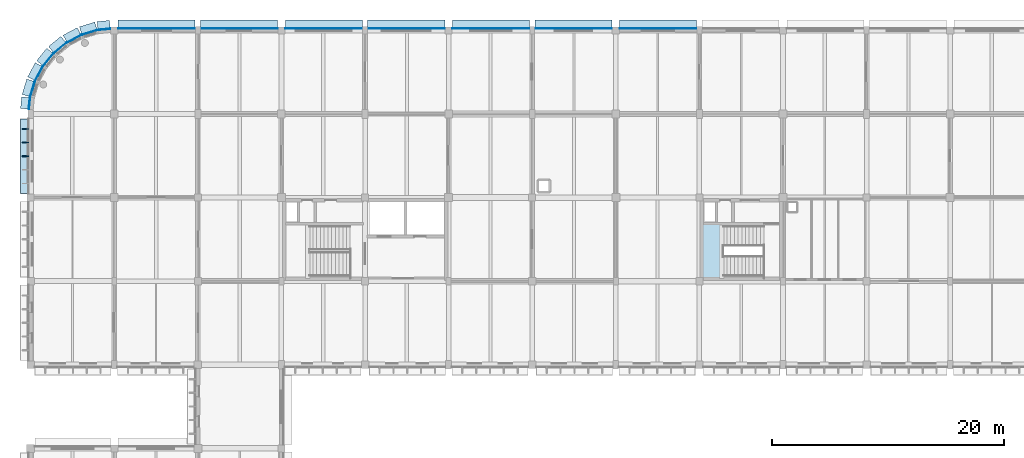
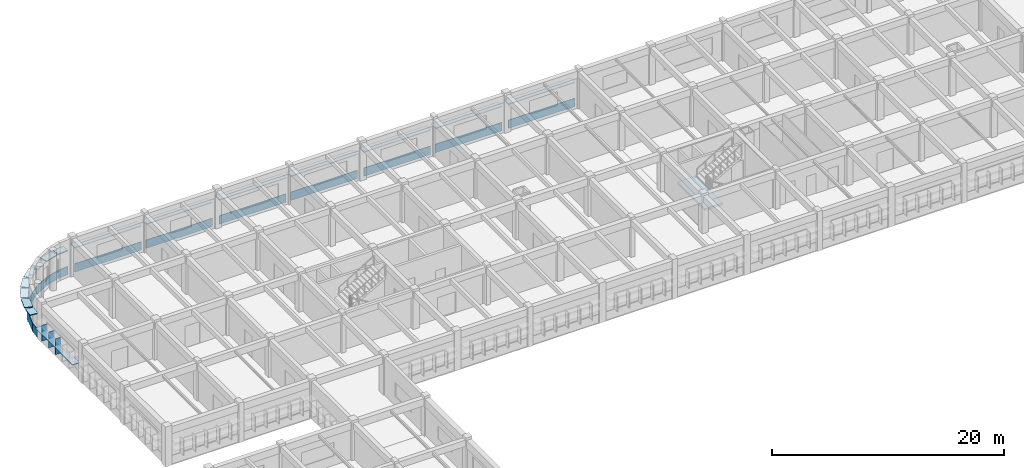
# One storey, part 16 of 38: 34 plates, 1 slab, 1 element without a shape of its own.
"""IFC4 building model written with IfcOpenShell, lengths in metres."""

from ifc_helpers import new_model, si_unit, direction, frame, origin, origin_2d, place, context, subcontext, project, spatial, polyline, rectangle, outline, extrude, material, layer, layer_set, type_object, element, aggregate, save


model = new_model("IFC4")

# Units and contexts
model_context = context("Model", 3, precision=1e-05, world=origin(), true_north=direction((0.0, 1.0)))
body_context = subcontext(model_context, "Body", "Model", "MODEL_VIEW")
ifc_project = project(units=[si_unit("LENGTHUNIT", "METRE"), si_unit("AREAUNIT", "SQUARE_METRE"), si_unit("VOLUMEUNIT", "CUBIC_METRE"), si_unit("PLANEANGLEUNIT", "RADIAN"), si_unit("MASSUNIT", "GRAM", prefix="KILO")], contexts=[model_context])

# Site, building, storey
site_placement = place(None, origin())
site = spatial("IfcSite", under=ifc_project, at=site_placement, CompositionType="ELEMENT")
building_placement = place(site_placement, origin())
building = spatial("IfcBuilding", under=site, at=building_placement, Name="Thalmaran Polytechnic", CompositionType="ELEMENT")
storey_placement = place(building_placement, frame((0.0, 0.0, 18.60009765625)))
storey = spatial("IfcBuildingStorey", under=building, at=storey_placement, Name="L04", CompositionType="ELEMENT", Elevation=18.60009765625)

# Plates
ifc_material_1 = material(Name="Anodised aluminium spandrel band", Category="aluminium")
ifc_layer_1 = layer(ifc_material_1, 0.054931640625, Name="Anodised aluminium spandrel band")
ifc_layer_set_1 = layer_set([ifc_layer_1], Name="Anodised aluminium spandrel band")
plate_type_1 = type_object("IfcPlateType", Name="PT-BD01", PredefinedType="SHEET", material=ifc_layer_set_1)
plate_1_placement = place(storey_placement, frame((-0.1064453125, 116.108154296875, 0.02001953125), z_axis=(0.0, 0.0, 1.0), x_axis=(0.09801714033, 0.995184726672, 0.0)))
element("IfcPlate", 1, at=plate_1_placement, inside=storey, type_object=plate_type_1, Name="Streamline Horizontal Spandrel Band L04-045", PredefinedType="SHEET", context=body_context, shape_type="SweptSolid", body=[
    extrude(rectangle(XDim=0.996337890625, YDim=0.054931640625, at=origin_2d()), origin(), (0.0, 0.0, 1.0), 0.8798828125),
])
for number, where, z_axis, x_axis, name in (
    (2, (0.156494140625, 117.336669921875, 0.02001953125), (0.0, 0.0, 1.0), (0.290284677254, 0.956940335732, 0.0), "Streamline Horizontal Spandrel Band L04-046"),
    (3, (0.708740234375, 118.669677734375, 0.02001953125), (0.0, 0.0, 1.0), (0.471396736826, 0.881921264348, 0.0), "Streamline Horizontal Spandrel Band L04-047"),
    (4, (1.510498046875, 119.869384765625, 0.02001953125), (0.0, 0.0, 1.0), (0.634393284164, 0.773010453363, 0.0), "Streamline Horizontal Spandrel Band L04-048"),
    (5, (2.53076171875, 120.8896484375, 0.02001953125), (0.0, 0.0, 1.0), (0.773010453363, 0.634393284164, 0.0), "Streamline Horizontal Spandrel Band L04-049"),
    (6, (3.7421875, 121.669189453125, 0.02001953125), (0.0, 0.0, 1.0), (0.881921264348, 0.471396736826, 0.0), "Streamline Horizontal Spandrel Band L04-050"),
    (7, (5.070556640625, 122.219482421875, 0.02001953125), (0.0, 0.0, 1.0), (0.956940335732, 0.290284677254, 0.0), "Streamline Horizontal Spandrel Band L04-051"),
):
    element("IfcPlate", number, at=place(storey_placement, frame(where, z_axis=z_axis, x_axis=x_axis)), inside=storey, type_object=plate_type_1, Name=name, PredefinedType="SHEET", context=body_context, shape_type="SweptSolid", body=[
        extrude(rectangle(XDim=1.371337890625, YDim=0.054931640625, at=origin_2d()), origin(), (0.0, 0.0, 1.0), 0.8798828125),
    ])
plate_2_placement = place(storey_placement, frame((6.32666015625, 122.48486328125, 0.02001953125), z_axis=(0.0, 0.0, 1.0), x_axis=(0.995184726672, 0.09801714033, 0.0)))
element("IfcPlate", 8, at=plate_2_placement, inside=storey, type_object=plate_type_1, Name="Streamline Horizontal Spandrel Band L04-052", PredefinedType="SHEET", context=body_context, shape_type="SweptSolid", body=[
    extrude(rectangle(XDim=1.061279296875, YDim=0.054931640625, at=origin_2d()), origin(), (0.0, 0.0, 1.0), 0.8798828125),
])
for number, where, z_axis, x_axis, name in (
    (9, (10.85009765625, 122.570068359375, 0.02001953125), (0.0, 0.0, 1.0), (1.0, 0.0, 0.0), "Streamline Horizontal Spandrel Band L04-053"),
    (10, (17.949951171875, 122.570068359375, 0.02001953125), (0.0, 0.0, 1.0), (1.0, 0.0, 0.0), "Streamline Horizontal Spandrel Band L04-054"),
    (11, (25.25, 122.570068359375, 0.02001953125), (0.0, 0.0, 1.0), (1.0, 0.0, 0.0), "Streamline Horizontal Spandrel Band L04-055"),
    (12, (32.35009765625, 122.570068359375, 0.02001953125), (0.0, 0.0, 1.0), (1.0, 0.0, 0.0), "Streamline Horizontal Spandrel Band L04-056"),
    (13, (39.64990234375, 122.570068359375, 0.02001953125), (0.0, 0.0, 1.0), (1.0, 0.0, 0.0), "Streamline Horizontal Spandrel Band L04-057"),
    (14, (46.75, 122.570068359375, 0.02001953125), (0.0, 0.0, 1.0), (1.0, 0.0, 0.0), "Streamline Horizontal Spandrel Band L04-058"),
    (15, (54.050048828125, 122.570068359375, 0.02001953125), (0.0, 0.0, 1.0), (1.0, 0.0, 0.0), "Streamline Horizontal Spandrel Band L04-059"),
):
    element("IfcPlate", number, at=place(storey_placement, frame(where, z_axis=z_axis, x_axis=x_axis)), inside=storey, type_object=plate_type_1, Name=name, PredefinedType="SHEET", context=body_context, shape_type="SweptSolid", body=[
        extrude(rectangle(XDim=6.639892578125, YDim=0.054931640625, at=origin_2d()), origin(), (0.0, 0.0, 1.0), 0.8798828125),
    ])
ifc_material_2 = material(Name="Anodised aluminium sun-hood eyebrow", Category="aluminium")
ifc_layer_2 = layer(ifc_material_2, 0.0849609375, Name="Anodised aluminium sun-hood eyebrow")
ifc_layer_set_2 = layer_set([ifc_layer_2], Name="Anodised aluminium sun-hood eyebrow")
plate_type_2 = type_object("IfcPlateType", Name="PT-EB01", PredefinedType="SHEET", material=ifc_layer_set_2)
plate_3_placement = place(storey_placement, frame((-0.52001953125, 111.5625, 1.7421875), z_axis=(0.0, 0.0, 1.0), x_axis=(0.0, 1.0, 0.0)))
element("IfcPlate", 16, at=plate_3_placement, inside=storey, type_object=plate_type_2, Name="Abu Dhabi Horizontal Solar Louvre L04-044", PredefinedType="SHEET", context=body_context, shape_type="SweptSolid", body=[
    extrude(rectangle(XDim=6.445068359375, YDim=0.719970703125, at=origin_2d()), origin(), (0.0, 0.0, 1.0), 0.074951171875),
])
plate_4_placement = place(storey_placement, frame((-0.449951171875, 116.141845703125, 2.517333984375), z_axis=(0.0, 0.0, 1.0), x_axis=(0.09801714033, 0.995184726672, 0.0)))
element("IfcPlate", 17, at=plate_4_placement, inside=storey, type_object=plate_type_2, Name="Streamline Sun-Hood Eyebrow L04-045", PredefinedType="SHEET", context=body_context, shape_type="SweptSolid", body=[
    extrude(rectangle(XDim=0.996337890625, YDim=0.760009765625, at=origin_2d()), origin(), (0.0, 0.0, 1.0), 0.0849609375),
])
for number, where, z_axis, x_axis, name in (
    (18, (-0.173583984375, 117.436767578125, 2.517333984375), (0.0, 0.0, 1.0), (0.290284677254, 0.956940335732, 0.0), "Streamline Sun-Hood Eyebrow L04-046"),
    (19, (0.404541015625, 118.832275390625, 2.517333984375), (0.0, 0.0, 1.0), (0.471396736826, 0.881921264348, 0.0), "Streamline Sun-Hood Eyebrow L04-047"),
    (20, (1.24365234375, 120.088134765625, 2.517333984375), (0.0, 0.0, 1.0), (0.634393284164, 0.773010453363, 0.0), "Streamline Sun-Hood Eyebrow L04-048"),
    (21, (2.311767578125, 121.15625, 2.517333984375), (0.0, 0.0, 1.0), (0.773010453363, 0.634393284164, 0.0), "Streamline Sun-Hood Eyebrow L04-049"),
    (22, (3.57958984375, 121.973388671875, 2.517333984375), (0.0, 0.0, 1.0), (0.881921264348, 0.471396736826, 0.0), "Streamline Sun-Hood Eyebrow L04-050"),
    (23, (4.970458984375, 122.549560546875, 2.517333984375), (0.0, 0.0, 1.0), (0.956940335732, 0.290284677254, 0.0), "Streamline Sun-Hood Eyebrow L04-051"),
):
    element("IfcPlate", number, at=place(storey_placement, frame(where, z_axis=z_axis, x_axis=x_axis)), inside=storey, type_object=plate_type_2, Name=name, PredefinedType="SHEET", context=body_context, shape_type="SweptSolid", body=[
        extrude(rectangle(XDim=1.371337890625, YDim=0.760009765625, at=origin_2d()), origin(), (0.0, 0.0, 1.0), 0.0849609375),
    ])
plate_5_placement = place(storey_placement, frame((6.29296875, 122.828125, 2.517333984375), z_axis=(0.0, 0.0, 1.0), x_axis=(0.995184726672, 0.09801714033, 0.0)))
element("IfcPlate", 24, at=plate_5_placement, inside=storey, type_object=plate_type_2, Name="Streamline Sun-Hood Eyebrow L04-052", PredefinedType="SHEET", context=body_context, shape_type="SweptSolid", body=[
    extrude(rectangle(XDim=1.061279296875, YDim=0.760009765625, at=origin_2d()), origin(), (0.0, 0.0, 1.0), 0.0849609375),
])
for number, where, z_axis, x_axis, name in (
    (25, (10.85009765625, 122.9150390625, 2.517333984375), (0.0, 0.0, 1.0), (1.0, 0.0, 0.0), "Streamline Sun-Hood Eyebrow L04-053"),
    (26, (17.949951171875, 122.9150390625, 2.517333984375), (0.0, 0.0, 1.0), (1.0, 0.0, 0.0), "Streamline Sun-Hood Eyebrow L04-054"),
    (27, (25.25, 122.9150390625, 2.517333984375), (0.0, 0.0, 1.0), (1.0, 0.0, 0.0), "Streamline Sun-Hood Eyebrow L04-055"),
    (28, (32.35009765625, 122.9150390625, 2.517333984375), (0.0, 0.0, 1.0), (1.0, 0.0, 0.0), "Streamline Sun-Hood Eyebrow L04-056"),
    (29, (39.64990234375, 122.9150390625, 2.517333984375), (0.0, 0.0, 1.0), (1.0, 0.0, 0.0), "Streamline Sun-Hood Eyebrow L04-057"),
    (30, (46.75, 122.9150390625, 2.517333984375), (0.0, 0.0, 1.0), (1.0, 0.0, 0.0), "Streamline Sun-Hood Eyebrow L04-058"),
    (31, (54.050048828125, 122.9150390625, 2.517333984375), (0.0, 0.0, 1.0), (1.0, 0.0, 0.0), "Streamline Sun-Hood Eyebrow L04-059"),
):
    element("IfcPlate", number, at=place(storey_placement, frame(where, z_axis=z_axis, x_axis=x_axis)), inside=storey, type_object=plate_type_2, Name=name, PredefinedType="SHEET", context=body_context, shape_type="SweptSolid", body=[
        extrude(rectangle(XDim=6.639892578125, YDim=0.760009765625, at=origin_2d()), origin(), (0.0, 0.0, 1.0), 0.0849609375),
    ])
ifc_material_3 = material(Name="Anodised bronze brise-soleil fin")
ifc_layer_3 = layer(ifc_material_3, 0.06494140625, Name="Anodised bronze brise-soleil fin")
ifc_layer_set_3 = layer_set([ifc_layer_3], Name="Anodised bronze brise-soleil fin")
plate_type_3 = type_object("IfcPlateType", Name="PT-FN01", PredefinedType="SHEET", material=ifc_layer_set_3)
for number, where, z_axis, x_axis, name in (
    (32, (-0.4599609375, 111.5625, 0.89501953125), (0.0, 0.0, 1.0), (0.0, 1.0, 0.0), "Abu Dhabi Solar Brise-Soleil Fin L04-044-3"),
    (33, (-0.4599609375, 112.737060546875, 0.89501953125), (0.0, 0.0, 1.0), (0.0, 1.0, 0.0), "Abu Dhabi Solar Brise-Soleil Fin L04-044-4"),
    (34, (-0.4599609375, 113.91162109375, 0.89501953125), (0.0, 0.0, 1.0), (0.0, 1.0, 0.0), "Abu Dhabi Solar Brise-Soleil Fin L04-044-5"),
):
    element("IfcPlate", number, at=place(storey_placement, frame(where, z_axis=z_axis, x_axis=x_axis)), inside=storey, type_object=plate_type_3, Name=name, PredefinedType="SHEET", context=body_context, shape_type="SweptSolid", body=[
        extrude(rectangle(XDim=0.06494140625, YDim=0.56005859375, at=origin_2d()), origin(), (0.0, 0.0, 1.0), 1.64990234375),
    ])

# Stair, slab
ifc_material_4 = material(Name="Concrete C40/50", Category="concrete")
stair_type = type_object("IfcStairType", Name="ST-HT42", PredefinedType="HALF_TURN_STAIR", material=ifc_material_4)
stair_placement = place(storey_placement, origin())
stair = element("IfcStair", 35, at=stair_placement, inside=storey, type_object=stair_type, Name="Exit Stair ST6 L04", PredefinedType="HALF_TURN_STAIR")
ifc_layer_4 = layer(ifc_material_4, 0.2099609375, Name="Concrete C40/50")
ifc_layer_set_4 = layer_set([ifc_layer_4], Name="Concrete C40/50")
slab_type = type_object("IfcSlabType", Name="SL-LD01", PredefinedType="LANDING", material=ifc_layer_set_4)
slab_placement = place(storey_placement, frame((0.0, 0.0, 1.889892578125)))
slab = element("IfcSlab", 36, at=slab_placement, type_object=slab_type, Name="ST6 L04 Half Landing", PredefinedType="LANDING", context=body_context, shape_type="SweptSolid", body=[
    extrude(outline(polyline([(57.840087890625, 101.0400390625), (59.659912109375, 101.0400390625), (59.659912109375, 105.739990234375), (57.840087890625, 105.739990234375), (57.840087890625, 101.0400390625)])), origin(), (0.0, 0.0, 1.0), 0.2099609375),
])
aggregate(stair, [slab])

save(model, "model.ifc")
